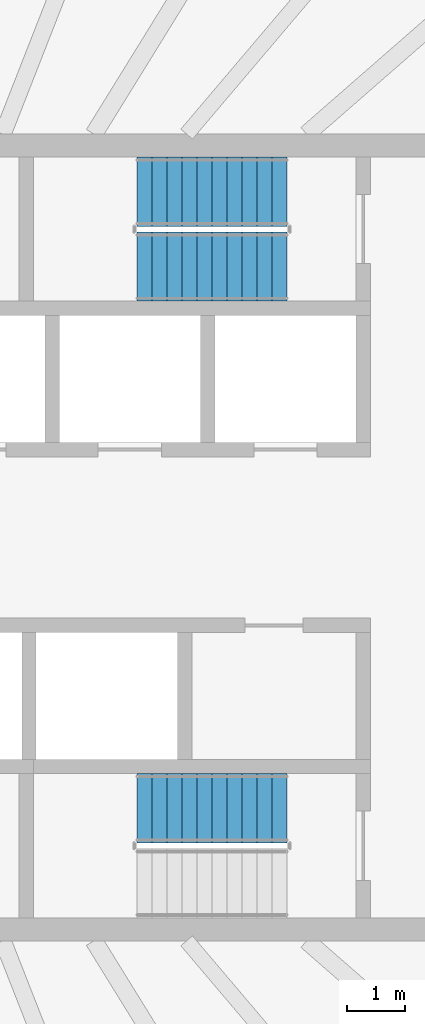
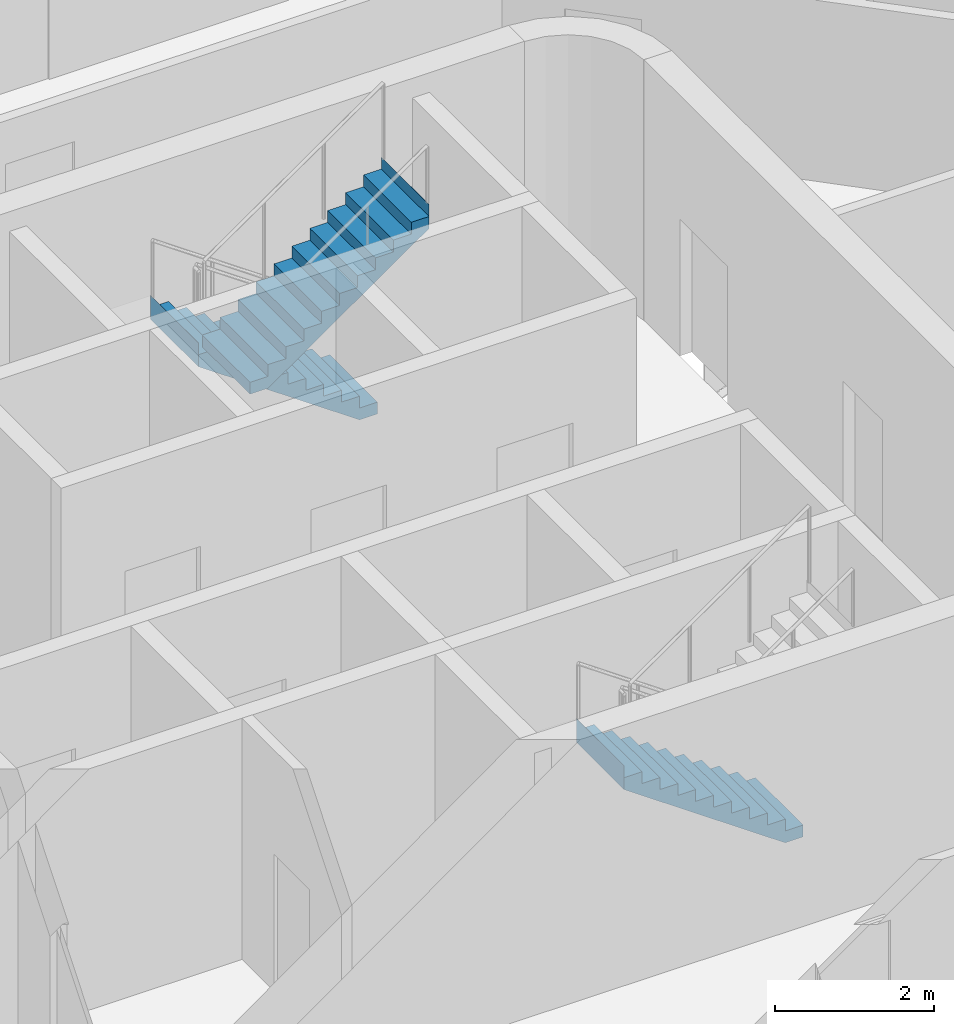
# One storey, part 13 of 18: 3 stair flights, 2 elements without a shape of their own.
"""IFC4 building model written with IfcOpenShell, lengths in metres."""

from ifc_helpers import new_model, si_unit, direction, frame, origin, place, context, subcontext, project, spatial, triangles, material, type_object, element, aggregate, save


model = new_model("IFC4")

# Units and contexts
model_context = context("Model", 3, precision=1e-05, world=origin(), true_north=direction((0.0, 1.0)))
body_context = subcontext(model_context, "Body", "Model", "MODEL_VIEW")
ifc_project = project(units=[si_unit("LENGTHUNIT", "METRE"), si_unit("AREAUNIT", "SQUARE_METRE"), si_unit("VOLUMEUNIT", "CUBIC_METRE"), si_unit("PLANEANGLEUNIT", "RADIAN"), si_unit("MASSUNIT", "GRAM", prefix="KILO")], contexts=[model_context])

# Site, building, storey
site_placement = place(None, origin())
site = spatial("IfcSite", under=ifc_project, at=site_placement, CompositionType="ELEMENT")
building_placement = place(site_placement, origin())
building = spatial("IfcBuilding", under=site, at=building_placement, Name="Sahrelin Media Tower", CompositionType="ELEMENT")
storey_placement = place(building_placement, frame((0.0, 0.0, 295.0)))
storey = spatial("IfcBuildingStorey", under=building, at=storey_placement, Name="L65", CompositionType="ELEMENT", Elevation=295.0)

# Stair, stair flights
ifc_material = material(Name="Concrete C40/50", Category="concrete")
stair_type = type_object("IfcStairType", Name="Exit stair 1200", PredefinedType="HALF_TURN_STAIR", material=ifc_material)
placement = place(storey_placement, origin())
stair_1 = element("IfcStair", 1, at=placement, inside=storey, type_object=stair_type, Name="L65 Exit stair ST3", PredefinedType="HALF_TURN_STAIR")
stair_flight_type = type_object("IfcStairFlightType", Name="Stair flight 1200", PredefinedType="STRAIGHT", material=ifc_material)
stair_flight_1_placement = place(storey_placement, frame((7.675048828125, 6.0, 0.0), z_axis=(0.0, 0.0, 1.0), x_axis=(-1.0, 0.0, 0.0)))
stair_flight_1 = element("IfcStairFlight", 2, at=stair_flight_1_placement, type_object=stair_flight_type, Name="ST3 flight 1", NumberOfRisers=11, NumberOfTreads=10, PredefinedType="STRAIGHT", RiserHeight=0.181818182, TreadLength=0.26, context=body_context, shape_type="Tessellation", body=[
    triangles([(0.261474609375, 0.60009765625, 0.0), (0.261474609375, 0.300048828125, 0.0), (0.261474609375, 0.0, 0.0), (0.261474609375, -0.300048828125, 0.0), (0.261474609375, -0.60009765625, 0.0), (2.60009765625, 0.60009765625, 1.63525390625), (2.60009765625, 0.300048828125, 1.63525390625), (2.60009765625, 0.0, 1.63525390625), (2.60009765625, -0.300048828125, 1.63525390625), (2.60009765625, -0.60009765625, 1.63525390625), (2.60009765625, 0.60009765625, 2.0), (2.60009765625, 0.300048828125, 2.0), (2.60009765625, 0.0, 2.0), (2.60009765625, -0.300048828125, 2.0), (2.60009765625, -0.60009765625, 2.0), (2.597900390625, 0.60009765625, 2.0), (2.597900390625, 0.300048828125, 2.0), (2.597900390625, 0.0, 2.0), (2.597900390625, -0.300048828125, 2.0), (2.597900390625, -0.60009765625, 2.0), (2.597900390625, 0.60009765625, 1.818115234375), (2.597900390625, 0.300048828125, 1.818115234375), (2.597900390625, 0.0, 1.818115234375), (2.597900390625, -0.300048828125, 1.818115234375), (2.597900390625, -0.60009765625, 1.818115234375), (2.340087890625, 0.60009765625, 1.818115234375), (2.340087890625, 0.300048828125, 1.818115234375), (2.340087890625, 0.0, 1.818115234375), (2.340087890625, -0.300048828125, 1.818115234375), (2.340087890625, -0.60009765625, 1.818115234375), (2.340087890625, 0.60009765625, 1.636474609375), (2.340087890625, 0.300048828125, 1.636474609375), (2.340087890625, 0.0, 1.636474609375), (2.340087890625, -0.300048828125, 1.636474609375), (2.340087890625, -0.60009765625, 1.636474609375), (2.080078125, 0.60009765625, 1.636474609375), (2.080078125, 0.300048828125, 1.636474609375), (2.080078125, 0.0, 1.636474609375), (2.080078125, -0.300048828125, 1.636474609375), (2.080078125, -0.60009765625, 1.636474609375), (2.080078125, 0.60009765625, 1.45458984375), (2.080078125, 0.300048828125, 1.45458984375), (2.080078125, 0.0, 1.45458984375), (2.080078125, -0.300048828125, 1.45458984375), (2.080078125, -0.60009765625, 1.45458984375), (1.820068359375, 0.60009765625, 1.45458984375), (1.820068359375, 0.300048828125, 1.45458984375), (1.820068359375, 0.0, 1.45458984375), (1.820068359375, -0.300048828125, 1.45458984375), (1.820068359375, -0.60009765625, 1.45458984375), (1.820068359375, 0.60009765625, 1.272705078125), (1.820068359375, 0.300048828125, 1.272705078125), (1.820068359375, 0.0, 1.272705078125), (1.820068359375, -0.300048828125, 1.272705078125), (1.820068359375, -0.60009765625, 1.272705078125), (1.56005859375, 0.60009765625, 1.272705078125), (1.56005859375, 0.300048828125, 1.272705078125), (1.56005859375, 0.0, 1.272705078125), (1.56005859375, -0.300048828125, 1.272705078125), (1.56005859375, -0.60009765625, 1.272705078125), (1.56005859375, 0.60009765625, 1.0908203125), (1.56005859375, 0.300048828125, 1.0908203125), (1.56005859375, 0.0, 1.0908203125), (1.56005859375, -0.300048828125, 1.0908203125), (1.56005859375, -0.60009765625, 1.0908203125), (1.300048828125, 0.60009765625, 1.0908203125), (1.300048828125, 0.300048828125, 1.0908203125), (1.300048828125, 0.0, 1.0908203125), (1.300048828125, -0.300048828125, 1.0908203125), (1.300048828125, -0.60009765625, 1.0908203125), (1.300048828125, 0.60009765625, 0.9091796875), (1.300048828125, 0.300048828125, 0.9091796875), (1.300048828125, 0.0, 0.9091796875), (1.300048828125, -0.300048828125, 0.9091796875), (1.300048828125, -0.60009765625, 0.9091796875), (1.0400390625, 0.60009765625, 0.9091796875), (1.0400390625, 0.300048828125, 0.9091796875), (1.0400390625, 0.0, 0.9091796875), (1.0400390625, -0.300048828125, 0.9091796875), (1.0400390625, -0.60009765625, 0.9091796875), (1.0400390625, 0.60009765625, 0.727294921875), (1.0400390625, 0.300048828125, 0.727294921875), (1.0400390625, 0.0, 0.727294921875), (1.0400390625, -0.300048828125, 0.727294921875), (1.0400390625, -0.60009765625, 0.727294921875), (0.780029296875, 0.60009765625, 0.727294921875), (0.780029296875, 0.300048828125, 0.727294921875), (0.780029296875, 0.0, 0.727294921875), (0.780029296875, -0.300048828125, 0.727294921875), (0.780029296875, -0.60009765625, 0.727294921875), (0.780029296875, 0.60009765625, 0.54541015625), (0.780029296875, 0.300048828125, 0.54541015625), (0.780029296875, 0.0, 0.54541015625), (0.780029296875, -0.300048828125, 0.54541015625), (0.780029296875, -0.60009765625, 0.54541015625), (0.52001953125, 0.60009765625, 0.54541015625), (0.52001953125, 0.300048828125, 0.54541015625), (0.52001953125, 0.0, 0.54541015625), (0.52001953125, -0.300048828125, 0.54541015625), (0.52001953125, -0.60009765625, 0.54541015625), (0.52001953125, 0.60009765625, 0.363525390625), (0.52001953125, 0.300048828125, 0.363525390625), (0.52001953125, 0.0, 0.363525390625), (0.52001953125, -0.300048828125, 0.363525390625), (0.52001953125, -0.60009765625, 0.363525390625), (0.260009765625, 0.60009765625, 0.363525390625), (0.260009765625, 0.300048828125, 0.363525390625), (0.260009765625, 0.0, 0.363525390625), (0.260009765625, -0.300048828125, 0.363525390625), (0.260009765625, -0.60009765625, 0.363525390625), (0.260009765625, 0.60009765625, 0.181884765625), (0.260009765625, 0.300048828125, 0.181884765625), (0.260009765625, 0.0, 0.181884765625), (0.260009765625, -0.300048828125, 0.181884765625), (0.260009765625, -0.60009765625, 0.181884765625), (0.0, 0.60009765625, 0.181884765625), (0.0, 0.300048828125, 0.181884765625), (0.0, 0.0, 0.181884765625), (0.0, -0.300048828125, 0.181884765625), (0.0, -0.60009765625, 0.181884765625), (0.0, 0.60009765625, 0.0), (0.0, 0.300048828125, 0.0), (0.0, 0.0, 0.0), (0.0, -0.300048828125, 0.0), (0.0, -0.60009765625, 0.0)], [[1, 6, 7], [1, 7, 2], [2, 7, 8], [2, 8, 3], [3, 8, 9], [3, 9, 4], [4, 9, 10], [4, 10, 5], [6, 11, 12], [6, 12, 7], [7, 12, 13], [7, 13, 8], [8, 13, 14], [8, 14, 9], [9, 14, 15], [9, 15, 10], [11, 16, 17], [11, 17, 12], [12, 17, 18], [12, 18, 13], [13, 18, 19], [13, 19, 14], [14, 19, 20], [14, 20, 15], [16, 21, 22], [16, 22, 17], [17, 22, 23], [17, 23, 18], [18, 23, 24], [18, 24, 19], [19, 24, 25], [19, 25, 20], [21, 26, 27], [21, 27, 22], [22, 27, 28], [22, 28, 23], [23, 28, 29], [23, 29, 24], [24, 29, 30], [24, 30, 25], [26, 31, 32], [26, 32, 27], [27, 32, 33], [27, 33, 28], [28, 33, 34], [28, 34, 29], [29, 34, 35], [29, 35, 30], [31, 36, 37], [31, 37, 32], [32, 37, 38], [32, 38, 33], [33, 38, 39], [33, 39, 34], [34, 39, 40], [34, 40, 35], [36, 41, 42], [36, 42, 37], [37, 42, 43], [37, 43, 38], [38, 43, 44], [38, 44, 39], [39, 44, 45], [39, 45, 40], [41, 46, 47], [41, 47, 42], [42, 47, 48], [42, 48, 43], [43, 48, 49], [43, 49, 44], [44, 49, 50], [44, 50, 45], [46, 51, 52], [46, 52, 47], [47, 52, 53], [47, 53, 48], [48, 53, 54], [48, 54, 49], [49, 54, 55], [49, 55, 50], [51, 56, 57], [51, 57, 52], [52, 57, 58], [52, 58, 53], [53, 58, 59], [53, 59, 54], [54, 59, 60], [54, 60, 55], [56, 61, 62], [56, 62, 57], [57, 62, 63], [57, 63, 58], [58, 63, 64], [58, 64, 59], [59, 64, 65], [59, 65, 60], [61, 66, 67], [61, 67, 62], [62, 67, 68], [62, 68, 63], [63, 68, 69], [63, 69, 64], [64, 69, 70], [64, 70, 65], [66, 71, 72], [66, 72, 67], [67, 72, 73], [67, 73, 68], [68, 73, 74], [68, 74, 69], [69, 74, 75], [69, 75, 70], [71, 76, 77], [71, 77, 72], [72, 77, 78], [72, 78, 73], [73, 78, 79], [73, 79, 74], [74, 79, 80], [74, 80, 75], [76, 81, 82], [76, 82, 77], [77, 82, 83], [77, 83, 78], [78, 83, 84], [78, 84, 79], [79, 84, 85], [79, 85, 80], [81, 86, 87], [81, 87, 82], [82, 87, 88], [82, 88, 83], [83, 88, 89], [83, 89, 84], [84, 89, 90], [84, 90, 85], [86, 91, 92], [86, 92, 87], [87, 92, 93], [87, 93, 88], [88, 93, 94], [88, 94, 89], [89, 94, 95], [89, 95, 90], [91, 96, 97], [91, 97, 92], [92, 97, 98], [92, 98, 93], [93, 98, 99], [93, 99, 94], [94, 99, 100], [94, 100, 95], [96, 101, 102], [96, 102, 97], [97, 102, 103], [97, 103, 98], [98, 103, 104], [98, 104, 99], [99, 104, 105], [99, 105, 100], [101, 106, 107], [101, 107, 102], [102, 107, 108], [102, 108, 103], [103, 108, 109], [103, 109, 104], [104, 109, 110], [104, 110, 105], [106, 111, 112], [106, 112, 107], [107, 112, 113], [107, 113, 108], [108, 113, 114], [108, 114, 109], [109, 114, 115], [109, 115, 110], [111, 116, 117], [111, 117, 112], [112, 117, 118], [112, 118, 113], [113, 118, 119], [113, 119, 114], [114, 119, 120], [114, 120, 115], [116, 121, 122], [116, 122, 117], [117, 122, 123], [117, 123, 118], [118, 123, 124], [118, 124, 119], [119, 124, 125], [119, 125, 120], [121, 1, 2], [121, 2, 122], [122, 2, 3], [122, 3, 123], [123, 3, 4], [123, 4, 124], [124, 4, 5], [124, 5, 125], [115, 120, 125], [111, 121, 116], [115, 105, 110], [111, 106, 101], [105, 95, 100], [101, 96, 91], [95, 85, 90], [91, 86, 81], [85, 75, 80], [81, 76, 71], [75, 65, 70], [71, 66, 61], [65, 55, 60], [61, 56, 51], [55, 45, 50], [51, 46, 41], [45, 35, 40], [41, 36, 31], [35, 25, 30], [31, 26, 21], [25, 15, 20], [21, 16, 11], [125, 5, 115], [121, 111, 1], [25, 10, 15], [21, 11, 6], [105, 115, 5], [101, 1, 111], [35, 10, 25], [31, 21, 6], [95, 105, 5], [91, 1, 101], [45, 10, 35], [41, 31, 6], [85, 95, 5], [81, 1, 91], [55, 10, 45], [51, 41, 6], [75, 85, 5], [71, 1, 81], [65, 10, 55], [61, 51, 6], [5, 10, 75], [1, 71, 6], [75, 10, 65], [71, 61, 6]], closed=True),
])
stair_flight_2_placement = place(storey_placement, frame((5.074951171875, 4.699951171875, 2.0), z_axis=(0.0, 0.0, 1.0), x_axis=(1.0, 0.0, 0.0)))
stair_flight_2 = element("IfcStairFlight", 3, at=stair_flight_2_placement, type_object=stair_flight_type, Name="ST3 flight 2", NumberOfRisers=11, NumberOfTreads=10, PredefinedType="STRAIGHT", RiserHeight=0.181818182, TreadLength=0.26, context=body_context, shape_type="Tessellation", body=[
    triangles([(0.261474609375, 0.60009765625, 0.0), (0.261474609375, 0.300048828125, 0.0), (0.261474609375, 0.0, 0.0), (0.261474609375, -0.300048828125, 0.0), (0.261474609375, -0.60009765625, 0.0), (2.60009765625, 0.60009765625, 1.63525390625), (2.60009765625, 0.300048828125, 1.63525390625), (2.60009765625, 0.0, 1.63525390625), (2.60009765625, -0.300048828125, 1.63525390625), (2.60009765625, -0.60009765625, 1.63525390625), (2.60009765625, 0.60009765625, 2.0), (2.60009765625, 0.300048828125, 2.0), (2.60009765625, 0.0, 2.0), (2.60009765625, -0.300048828125, 2.0), (2.60009765625, -0.60009765625, 2.0), (2.597900390625, 0.60009765625, 2.0), (2.597900390625, 0.300048828125, 2.0), (2.597900390625, 0.0, 2.0), (2.597900390625, -0.300048828125, 2.0), (2.597900390625, -0.60009765625, 2.0), (2.597900390625, 0.60009765625, 1.818115234375), (2.597900390625, 0.300048828125, 1.818115234375), (2.597900390625, 0.0, 1.818115234375), (2.597900390625, -0.300048828125, 1.818115234375), (2.597900390625, -0.60009765625, 1.818115234375), (2.340087890625, 0.60009765625, 1.818115234375), (2.340087890625, 0.300048828125, 1.818115234375), (2.340087890625, 0.0, 1.818115234375), (2.340087890625, -0.300048828125, 1.818115234375), (2.340087890625, -0.60009765625, 1.818115234375), (2.340087890625, 0.60009765625, 1.636474609375), (2.340087890625, 0.300048828125, 1.636474609375), (2.340087890625, 0.0, 1.636474609375), (2.340087890625, -0.300048828125, 1.636474609375), (2.340087890625, -0.60009765625, 1.636474609375), (2.080078125, 0.60009765625, 1.636474609375), (2.080078125, 0.300048828125, 1.636474609375), (2.080078125, 0.0, 1.636474609375), (2.080078125, -0.300048828125, 1.636474609375), (2.080078125, -0.60009765625, 1.636474609375), (2.080078125, 0.60009765625, 1.45458984375), (2.080078125, 0.300048828125, 1.45458984375), (2.080078125, 0.0, 1.45458984375), (2.080078125, -0.300048828125, 1.45458984375), (2.080078125, -0.60009765625, 1.45458984375), (1.820068359375, 0.60009765625, 1.45458984375), (1.820068359375, 0.300048828125, 1.45458984375), (1.820068359375, 0.0, 1.45458984375), (1.820068359375, -0.300048828125, 1.45458984375), (1.820068359375, -0.60009765625, 1.45458984375), (1.820068359375, 0.60009765625, 1.272705078125), (1.820068359375, 0.300048828125, 1.272705078125), (1.820068359375, 0.0, 1.272705078125), (1.820068359375, -0.300048828125, 1.272705078125), (1.820068359375, -0.60009765625, 1.272705078125), (1.56005859375, 0.60009765625, 1.272705078125), (1.56005859375, 0.300048828125, 1.272705078125), (1.56005859375, 0.0, 1.272705078125), (1.56005859375, -0.300048828125, 1.272705078125), (1.56005859375, -0.60009765625, 1.272705078125), (1.56005859375, 0.60009765625, 1.0908203125), (1.56005859375, 0.300048828125, 1.0908203125), (1.56005859375, 0.0, 1.0908203125), (1.56005859375, -0.300048828125, 1.0908203125), (1.56005859375, -0.60009765625, 1.0908203125), (1.300048828125, 0.60009765625, 1.0908203125), (1.300048828125, 0.300048828125, 1.0908203125), (1.300048828125, 0.0, 1.0908203125), (1.300048828125, -0.300048828125, 1.0908203125), (1.300048828125, -0.60009765625, 1.0908203125), (1.300048828125, 0.60009765625, 0.9091796875), (1.300048828125, 0.300048828125, 0.9091796875), (1.300048828125, 0.0, 0.9091796875), (1.300048828125, -0.300048828125, 0.9091796875), (1.300048828125, -0.60009765625, 0.9091796875), (1.0400390625, 0.60009765625, 0.9091796875), (1.0400390625, 0.300048828125, 0.9091796875), (1.0400390625, 0.0, 0.9091796875), (1.0400390625, -0.300048828125, 0.9091796875), (1.0400390625, -0.60009765625, 0.9091796875), (1.0400390625, 0.60009765625, 0.727294921875), (1.0400390625, 0.300048828125, 0.727294921875), (1.0400390625, 0.0, 0.727294921875), (1.0400390625, -0.300048828125, 0.727294921875), (1.0400390625, -0.60009765625, 0.727294921875), (0.780029296875, 0.60009765625, 0.727294921875), (0.780029296875, 0.300048828125, 0.727294921875), (0.780029296875, 0.0, 0.727294921875), (0.780029296875, -0.300048828125, 0.727294921875), (0.780029296875, -0.60009765625, 0.727294921875), (0.780029296875, 0.60009765625, 0.54541015625), (0.780029296875, 0.300048828125, 0.54541015625), (0.780029296875, 0.0, 0.54541015625), (0.780029296875, -0.300048828125, 0.54541015625), (0.780029296875, -0.60009765625, 0.54541015625), (0.52001953125, 0.60009765625, 0.54541015625), (0.52001953125, 0.300048828125, 0.54541015625), (0.52001953125, 0.0, 0.54541015625), (0.52001953125, -0.300048828125, 0.54541015625), (0.52001953125, -0.60009765625, 0.54541015625), (0.52001953125, 0.60009765625, 0.363525390625), (0.52001953125, 0.300048828125, 0.363525390625), (0.52001953125, 0.0, 0.363525390625), (0.52001953125, -0.300048828125, 0.363525390625), (0.52001953125, -0.60009765625, 0.363525390625), (0.260009765625, 0.60009765625, 0.363525390625), (0.260009765625, 0.300048828125, 0.363525390625), (0.260009765625, 0.0, 0.363525390625), (0.260009765625, -0.300048828125, 0.363525390625), (0.260009765625, -0.60009765625, 0.363525390625), (0.260009765625, 0.60009765625, 0.181884765625), (0.260009765625, 0.300048828125, 0.181884765625), (0.260009765625, 0.0, 0.181884765625), (0.260009765625, -0.300048828125, 0.181884765625), (0.260009765625, -0.60009765625, 0.181884765625), (0.0, 0.60009765625, 0.181884765625), (0.0, 0.300048828125, 0.181884765625), (0.0, 0.0, 0.181884765625), (0.0, -0.300048828125, 0.181884765625), (0.0, -0.60009765625, 0.181884765625), (0.0, 0.60009765625, 0.0), (0.0, 0.300048828125, 0.0), (0.0, 0.0, 0.0), (0.0, -0.300048828125, 0.0), (0.0, -0.60009765625, 0.0)], [[1, 6, 7], [1, 7, 2], [2, 7, 8], [2, 8, 3], [3, 8, 9], [3, 9, 4], [4, 9, 10], [4, 10, 5], [6, 11, 12], [6, 12, 7], [7, 12, 13], [7, 13, 8], [8, 13, 14], [8, 14, 9], [9, 14, 15], [9, 15, 10], [11, 16, 17], [11, 17, 12], [12, 17, 18], [12, 18, 13], [13, 18, 19], [13, 19, 14], [14, 19, 20], [14, 20, 15], [16, 21, 22], [16, 22, 17], [17, 22, 23], [17, 23, 18], [18, 23, 24], [18, 24, 19], [19, 24, 25], [19, 25, 20], [21, 26, 27], [21, 27, 22], [22, 27, 28], [22, 28, 23], [23, 28, 29], [23, 29, 24], [24, 29, 30], [24, 30, 25], [26, 31, 32], [26, 32, 27], [27, 32, 33], [27, 33, 28], [28, 33, 34], [28, 34, 29], [29, 34, 35], [29, 35, 30], [31, 36, 37], [31, 37, 32], [32, 37, 38], [32, 38, 33], [33, 38, 39], [33, 39, 34], [34, 39, 40], [34, 40, 35], [36, 41, 42], [36, 42, 37], [37, 42, 43], [37, 43, 38], [38, 43, 44], [38, 44, 39], [39, 44, 45], [39, 45, 40], [41, 46, 47], [41, 47, 42], [42, 47, 48], [42, 48, 43], [43, 48, 49], [43, 49, 44], [44, 49, 50], [44, 50, 45], [46, 51, 52], [46, 52, 47], [47, 52, 53], [47, 53, 48], [48, 53, 54], [48, 54, 49], [49, 54, 55], [49, 55, 50], [51, 56, 57], [51, 57, 52], [52, 57, 58], [52, 58, 53], [53, 58, 59], [53, 59, 54], [54, 59, 60], [54, 60, 55], [56, 61, 62], [56, 62, 57], [57, 62, 63], [57, 63, 58], [58, 63, 64], [58, 64, 59], [59, 64, 65], [59, 65, 60], [61, 66, 67], [61, 67, 62], [62, 67, 68], [62, 68, 63], [63, 68, 69], [63, 69, 64], [64, 69, 70], [64, 70, 65], [66, 71, 72], [66, 72, 67], [67, 72, 73], [67, 73, 68], [68, 73, 74], [68, 74, 69], [69, 74, 75], [69, 75, 70], [71, 76, 77], [71, 77, 72], [72, 77, 78], [72, 78, 73], [73, 78, 79], [73, 79, 74], [74, 79, 80], [74, 80, 75], [76, 81, 82], [76, 82, 77], [77, 82, 83], [77, 83, 78], [78, 83, 84], [78, 84, 79], [79, 84, 85], [79, 85, 80], [81, 86, 87], [81, 87, 82], [82, 87, 88], [82, 88, 83], [83, 88, 89], [83, 89, 84], [84, 89, 90], [84, 90, 85], [86, 91, 92], [86, 92, 87], [87, 92, 93], [87, 93, 88], [88, 93, 94], [88, 94, 89], [89, 94, 95], [89, 95, 90], [91, 96, 97], [91, 97, 92], [92, 97, 98], [92, 98, 93], [93, 98, 99], [93, 99, 94], [94, 99, 100], [94, 100, 95], [96, 101, 102], [96, 102, 97], [97, 102, 103], [97, 103, 98], [98, 103, 104], [98, 104, 99], [99, 104, 105], [99, 105, 100], [101, 106, 107], [101, 107, 102], [102, 107, 108], [102, 108, 103], [103, 108, 109], [103, 109, 104], [104, 109, 110], [104, 110, 105], [106, 111, 112], [106, 112, 107], [107, 112, 113], [107, 113, 108], [108, 113, 114], [108, 114, 109], [109, 114, 115], [109, 115, 110], [111, 116, 117], [111, 117, 112], [112, 117, 118], [112, 118, 113], [113, 118, 119], [113, 119, 114], [114, 119, 120], [114, 120, 115], [116, 121, 122], [116, 122, 117], [117, 122, 123], [117, 123, 118], [118, 123, 124], [118, 124, 119], [119, 124, 125], [119, 125, 120], [121, 1, 2], [121, 2, 122], [122, 2, 3], [122, 3, 123], [123, 3, 4], [123, 4, 124], [124, 4, 5], [124, 5, 125], [115, 120, 125], [111, 121, 116], [115, 105, 110], [111, 106, 101], [105, 95, 100], [101, 96, 91], [95, 85, 90], [91, 86, 81], [85, 75, 80], [81, 76, 71], [75, 65, 70], [71, 66, 61], [65, 55, 60], [61, 56, 51], [55, 45, 50], [51, 46, 41], [45, 35, 40], [41, 36, 31], [35, 25, 30], [31, 26, 21], [25, 15, 20], [21, 16, 11], [125, 5, 115], [121, 111, 1], [25, 10, 15], [21, 11, 6], [105, 115, 5], [101, 1, 111], [35, 10, 25], [31, 21, 6], [95, 105, 5], [91, 1, 101], [45, 10, 35], [41, 31, 6], [85, 95, 5], [81, 1, 91], [55, 10, 45], [51, 41, 6], [75, 85, 5], [71, 1, 81], [65, 10, 55], [61, 51, 6], [5, 10, 75], [1, 71, 6], [75, 10, 65], [71, 61, 6]], closed=True),
])
aggregate(stair_1, [stair_flight_1, stair_flight_2])

# Stair, stair flight
stair_2 = element("IfcStair", 4, at=placement, inside=storey, type_object=stair_type, Name="L65 Exit stair ST2", PredefinedType="HALF_TURN_STAIR")
stair_flight_3_placement = place(storey_placement, frame((7.675048828125, -4.699951171875, 0.0), z_axis=(0.0, 0.0, 1.0), x_axis=(-1.0, 0.0, 0.0)))
stair_flight_3 = element("IfcStairFlight", 5, at=stair_flight_3_placement, type_object=stair_flight_type, Name="ST2 flight 1", NumberOfRisers=11, NumberOfTreads=10, PredefinedType="STRAIGHT", RiserHeight=0.181818182, TreadLength=0.26, context=body_context, shape_type="Tessellation", body=[
    triangles([(0.261474609375, 0.60009765625, 0.0), (0.261474609375, 0.300048828125, 0.0), (0.261474609375, 0.0, 0.0), (0.261474609375, -0.300048828125, 0.0), (0.261474609375, -0.60009765625, 0.0), (2.60009765625, 0.60009765625, 1.63525390625), (2.60009765625, 0.300048828125, 1.63525390625), (2.60009765625, 0.0, 1.63525390625), (2.60009765625, -0.300048828125, 1.63525390625), (2.60009765625, -0.60009765625, 1.63525390625), (2.60009765625, 0.60009765625, 2.0), (2.60009765625, 0.300048828125, 2.0), (2.60009765625, 0.0, 2.0), (2.60009765625, -0.300048828125, 2.0), (2.60009765625, -0.60009765625, 2.0), (2.597900390625, 0.60009765625, 2.0), (2.597900390625, 0.300048828125, 2.0), (2.597900390625, 0.0, 2.0), (2.597900390625, -0.300048828125, 2.0), (2.597900390625, -0.60009765625, 2.0), (2.597900390625, 0.60009765625, 1.818115234375), (2.597900390625, 0.300048828125, 1.818115234375), (2.597900390625, 0.0, 1.818115234375), (2.597900390625, -0.300048828125, 1.818115234375), (2.597900390625, -0.60009765625, 1.818115234375), (2.340087890625, 0.60009765625, 1.818115234375), (2.340087890625, 0.300048828125, 1.818115234375), (2.340087890625, 0.0, 1.818115234375), (2.340087890625, -0.300048828125, 1.818115234375), (2.340087890625, -0.60009765625, 1.818115234375), (2.340087890625, 0.60009765625, 1.636474609375), (2.340087890625, 0.300048828125, 1.636474609375), (2.340087890625, 0.0, 1.636474609375), (2.340087890625, -0.300048828125, 1.636474609375), (2.340087890625, -0.60009765625, 1.636474609375), (2.080078125, 0.60009765625, 1.636474609375), (2.080078125, 0.300048828125, 1.636474609375), (2.080078125, 0.0, 1.636474609375), (2.080078125, -0.300048828125, 1.636474609375), (2.080078125, -0.60009765625, 1.636474609375), (2.080078125, 0.60009765625, 1.45458984375), (2.080078125, 0.300048828125, 1.45458984375), (2.080078125, 0.0, 1.45458984375), (2.080078125, -0.300048828125, 1.45458984375), (2.080078125, -0.60009765625, 1.45458984375), (1.820068359375, 0.60009765625, 1.45458984375), (1.820068359375, 0.300048828125, 1.45458984375), (1.820068359375, 0.0, 1.45458984375), (1.820068359375, -0.300048828125, 1.45458984375), (1.820068359375, -0.60009765625, 1.45458984375), (1.820068359375, 0.60009765625, 1.272705078125), (1.820068359375, 0.300048828125, 1.272705078125), (1.820068359375, 0.0, 1.272705078125), (1.820068359375, -0.300048828125, 1.272705078125), (1.820068359375, -0.60009765625, 1.272705078125), (1.56005859375, 0.60009765625, 1.272705078125), (1.56005859375, 0.300048828125, 1.272705078125), (1.56005859375, 0.0, 1.272705078125), (1.56005859375, -0.300048828125, 1.272705078125), (1.56005859375, -0.60009765625, 1.272705078125), (1.56005859375, 0.60009765625, 1.0908203125), (1.56005859375, 0.300048828125, 1.0908203125), (1.56005859375, 0.0, 1.0908203125), (1.56005859375, -0.300048828125, 1.0908203125), (1.56005859375, -0.60009765625, 1.0908203125), (1.300048828125, 0.60009765625, 1.0908203125), (1.300048828125, 0.300048828125, 1.0908203125), (1.300048828125, 0.0, 1.0908203125), (1.300048828125, -0.300048828125, 1.0908203125), (1.300048828125, -0.60009765625, 1.0908203125), (1.300048828125, 0.60009765625, 0.9091796875), (1.300048828125, 0.300048828125, 0.9091796875), (1.300048828125, 0.0, 0.9091796875), (1.300048828125, -0.300048828125, 0.9091796875), (1.300048828125, -0.60009765625, 0.9091796875), (1.0400390625, 0.60009765625, 0.9091796875), (1.0400390625, 0.300048828125, 0.9091796875), (1.0400390625, 0.0, 0.9091796875), (1.0400390625, -0.300048828125, 0.9091796875), (1.0400390625, -0.60009765625, 0.9091796875), (1.0400390625, 0.60009765625, 0.727294921875), (1.0400390625, 0.300048828125, 0.727294921875), (1.0400390625, 0.0, 0.727294921875), (1.0400390625, -0.300048828125, 0.727294921875), (1.0400390625, -0.60009765625, 0.727294921875), (0.780029296875, 0.60009765625, 0.727294921875), (0.780029296875, 0.300048828125, 0.727294921875), (0.780029296875, 0.0, 0.727294921875), (0.780029296875, -0.300048828125, 0.727294921875), (0.780029296875, -0.60009765625, 0.727294921875), (0.780029296875, 0.60009765625, 0.54541015625), (0.780029296875, 0.300048828125, 0.54541015625), (0.780029296875, 0.0, 0.54541015625), (0.780029296875, -0.300048828125, 0.54541015625), (0.780029296875, -0.60009765625, 0.54541015625), (0.52001953125, 0.60009765625, 0.54541015625), (0.52001953125, 0.300048828125, 0.54541015625), (0.52001953125, 0.0, 0.54541015625), (0.52001953125, -0.300048828125, 0.54541015625), (0.52001953125, -0.60009765625, 0.54541015625), (0.52001953125, 0.60009765625, 0.363525390625), (0.52001953125, 0.300048828125, 0.363525390625), (0.52001953125, 0.0, 0.363525390625), (0.52001953125, -0.300048828125, 0.363525390625), (0.52001953125, -0.60009765625, 0.363525390625), (0.260009765625, 0.60009765625, 0.363525390625), (0.260009765625, 0.300048828125, 0.363525390625), (0.260009765625, 0.0, 0.363525390625), (0.260009765625, -0.300048828125, 0.363525390625), (0.260009765625, -0.60009765625, 0.363525390625), (0.260009765625, 0.60009765625, 0.181884765625), (0.260009765625, 0.300048828125, 0.181884765625), (0.260009765625, 0.0, 0.181884765625), (0.260009765625, -0.300048828125, 0.181884765625), (0.260009765625, -0.60009765625, 0.181884765625), (0.0, 0.60009765625, 0.181884765625), (0.0, 0.300048828125, 0.181884765625), (0.0, 0.0, 0.181884765625), (0.0, -0.300048828125, 0.181884765625), (0.0, -0.60009765625, 0.181884765625), (0.0, 0.60009765625, 0.0), (0.0, 0.300048828125, 0.0), (0.0, 0.0, 0.0), (0.0, -0.300048828125, 0.0), (0.0, -0.60009765625, 0.0)], [[1, 6, 7], [1, 7, 2], [2, 7, 8], [2, 8, 3], [3, 8, 9], [3, 9, 4], [4, 9, 10], [4, 10, 5], [6, 11, 12], [6, 12, 7], [7, 12, 13], [7, 13, 8], [8, 13, 14], [8, 14, 9], [9, 14, 15], [9, 15, 10], [11, 16, 17], [11, 17, 12], [12, 17, 18], [12, 18, 13], [13, 18, 19], [13, 19, 14], [14, 19, 20], [14, 20, 15], [16, 21, 22], [16, 22, 17], [17, 22, 23], [17, 23, 18], [18, 23, 24], [18, 24, 19], [19, 24, 25], [19, 25, 20], [21, 26, 27], [21, 27, 22], [22, 27, 28], [22, 28, 23], [23, 28, 29], [23, 29, 24], [24, 29, 30], [24, 30, 25], [26, 31, 32], [26, 32, 27], [27, 32, 33], [27, 33, 28], [28, 33, 34], [28, 34, 29], [29, 34, 35], [29, 35, 30], [31, 36, 37], [31, 37, 32], [32, 37, 38], [32, 38, 33], [33, 38, 39], [33, 39, 34], [34, 39, 40], [34, 40, 35], [36, 41, 42], [36, 42, 37], [37, 42, 43], [37, 43, 38], [38, 43, 44], [38, 44, 39], [39, 44, 45], [39, 45, 40], [41, 46, 47], [41, 47, 42], [42, 47, 48], [42, 48, 43], [43, 48, 49], [43, 49, 44], [44, 49, 50], [44, 50, 45], [46, 51, 52], [46, 52, 47], [47, 52, 53], [47, 53, 48], [48, 53, 54], [48, 54, 49], [49, 54, 55], [49, 55, 50], [51, 56, 57], [51, 57, 52], [52, 57, 58], [52, 58, 53], [53, 58, 59], [53, 59, 54], [54, 59, 60], [54, 60, 55], [56, 61, 62], [56, 62, 57], [57, 62, 63], [57, 63, 58], [58, 63, 64], [58, 64, 59], [59, 64, 65], [59, 65, 60], [61, 66, 67], [61, 67, 62], [62, 67, 68], [62, 68, 63], [63, 68, 69], [63, 69, 64], [64, 69, 70], [64, 70, 65], [66, 71, 72], [66, 72, 67], [67, 72, 73], [67, 73, 68], [68, 73, 74], [68, 74, 69], [69, 74, 75], [69, 75, 70], [71, 76, 77], [71, 77, 72], [72, 77, 78], [72, 78, 73], [73, 78, 79], [73, 79, 74], [74, 79, 80], [74, 80, 75], [76, 81, 82], [76, 82, 77], [77, 82, 83], [77, 83, 78], [78, 83, 84], [78, 84, 79], [79, 84, 85], [79, 85, 80], [81, 86, 87], [81, 87, 82], [82, 87, 88], [82, 88, 83], [83, 88, 89], [83, 89, 84], [84, 89, 90], [84, 90, 85], [86, 91, 92], [86, 92, 87], [87, 92, 93], [87, 93, 88], [88, 93, 94], [88, 94, 89], [89, 94, 95], [89, 95, 90], [91, 96, 97], [91, 97, 92], [92, 97, 98], [92, 98, 93], [93, 98, 99], [93, 99, 94], [94, 99, 100], [94, 100, 95], [96, 101, 102], [96, 102, 97], [97, 102, 103], [97, 103, 98], [98, 103, 104], [98, 104, 99], [99, 104, 105], [99, 105, 100], [101, 106, 107], [101, 107, 102], [102, 107, 108], [102, 108, 103], [103, 108, 109], [103, 109, 104], [104, 109, 110], [104, 110, 105], [106, 111, 112], [106, 112, 107], [107, 112, 113], [107, 113, 108], [108, 113, 114], [108, 114, 109], [109, 114, 115], [109, 115, 110], [111, 116, 117], [111, 117, 112], [112, 117, 118], [112, 118, 113], [113, 118, 119], [113, 119, 114], [114, 119, 120], [114, 120, 115], [116, 121, 122], [116, 122, 117], [117, 122, 123], [117, 123, 118], [118, 123, 124], [118, 124, 119], [119, 124, 125], [119, 125, 120], [121, 1, 2], [121, 2, 122], [122, 2, 3], [122, 3, 123], [123, 3, 4], [123, 4, 124], [124, 4, 5], [124, 5, 125], [115, 120, 125], [111, 121, 116], [115, 105, 110], [111, 106, 101], [105, 95, 100], [101, 96, 91], [95, 85, 90], [91, 86, 81], [85, 75, 80], [81, 76, 71], [75, 65, 70], [71, 66, 61], [65, 55, 60], [61, 56, 51], [55, 45, 50], [51, 46, 41], [45, 35, 40], [41, 36, 31], [35, 25, 30], [31, 26, 21], [25, 15, 20], [21, 16, 11], [125, 5, 115], [121, 111, 1], [25, 10, 15], [21, 11, 6], [105, 115, 5], [101, 1, 111], [35, 10, 25], [31, 21, 6], [95, 105, 5], [91, 1, 101], [45, 10, 35], [41, 31, 6], [85, 95, 5], [81, 1, 91], [55, 10, 45], [51, 41, 6], [75, 85, 5], [71, 1, 81], [65, 10, 55], [61, 51, 6], [5, 10, 75], [1, 71, 6], [75, 10, 65], [71, 61, 6]], closed=True),
])
aggregate(stair_2, [stair_flight_3])

save(model, "model.ifc")
